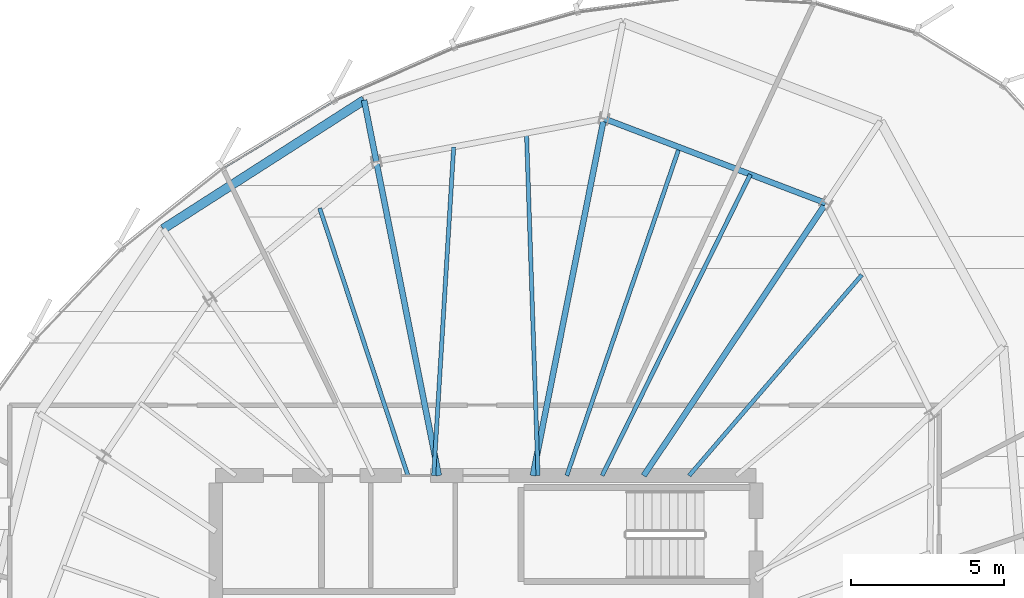
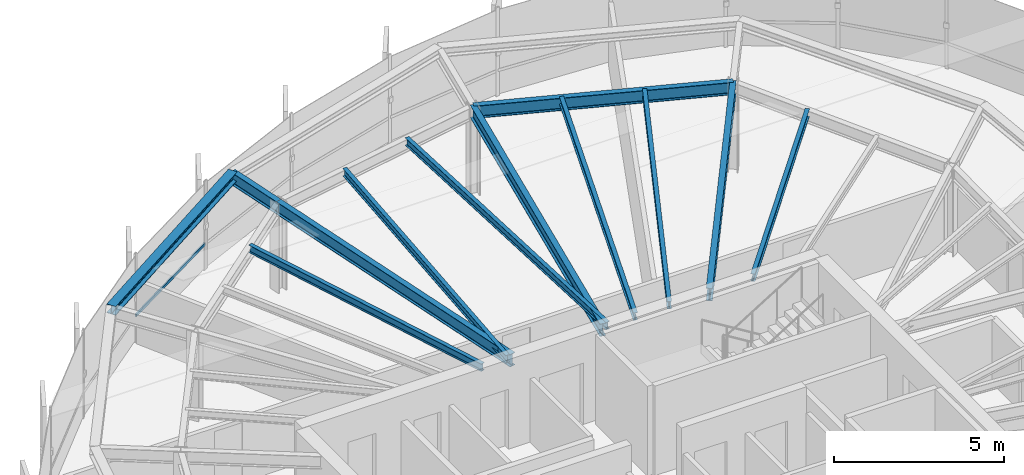
# One storey, part 20 of 33: 12 beams, 1 member, 1 element without a shape of its own.
"""IFC4 building model written with IfcOpenShell, lengths in metres."""

from ifc_helpers import new_model, si_unit, direction, frame, origin, origin_2d, place, context, subcontext, project, spatial, hollow_rectangle, i_section, extrude, source, transform, mapped, material, layer, layer_set, material_profile, profile_set, type_object, element, aggregate, save


model = new_model("IFC4")

# Units and contexts
model_context = context("Model", 3, precision=1e-05, world=origin(), true_north=direction((0.0, 1.0)))
body_context = subcontext(model_context, "Body", "Model", "MODEL_VIEW")
ifc_project = project(units=[si_unit("LENGTHUNIT", "METRE"), si_unit("AREAUNIT", "SQUARE_METRE"), si_unit("VOLUMEUNIT", "CUBIC_METRE"), si_unit("PLANEANGLEUNIT", "RADIAN"), si_unit("MASSUNIT", "GRAM", prefix="KILO"), si_unit("THERMODYNAMICTEMPERATUREUNIT", "KELVIN")], contexts=[model_context])

# Site, building, storey
site_placement = place(None, origin())
site = spatial("IfcSite", under=ifc_project, at=site_placement, CompositionType="ELEMENT")
building_placement = place(site_placement, origin())
building = spatial("IfcBuilding", under=site, at=building_placement, Name="Kethvar Cultural Tower", CompositionType="ELEMENT")
storey_placement = place(building_placement, frame((0.0, 0.0, 238.75)))
storey = spatial("IfcBuildingStorey", under=building, at=storey_placement, Name="L62", CompositionType="ELEMENT", Elevation=238.75)

# Beams
ifc_material_1 = material(Name="Steel S355J2", Category="steel")
ifc_material_profile_1 = material_profile(ifc_material_1, i_section(OverallWidth=0.18994140625, OverallDepth=0.449951171875, WebThickness=0.009521484375, FlangeThickness=0.0146484375, FilletRadius=0.02099609375, at=origin_2d()), Name="Steel S355J2 — IPE450")
ifc_profile_set_1 = profile_set([ifc_material_profile_1], Name="Steel S355J2 — IPE450")
beam_type_1 = type_object("IfcBeamType", Name="BM-IPE450", PredefinedType="BEAM", material=ifc_profile_set_1)
shared_shape_1 = source(origin(), body_context, "Body", "SweptSolid", [
    extrude(i_section(OverallWidth=0.18994140625, OverallDepth=0.449951171875, WebThickness=0.009521484375, FlangeThickness=0.0146484375, FilletRadius=0.02099609375, at=origin_2d()), origin(), (0.0, 0.0, 1.0), 10.673828125),
])
beam_1_placement = place(storey_placement, frame((51.945068359375, 35.5, 2.98291015625), z_axis=(0.555576086183, 0.831465701314, 0.0), x_axis=(-0.831465701314, 0.555576086183, 0.0)))
element("IfcBeam", 1, at=beam_1_placement, inside=storey, type_object=beam_type_1, Name="L62 Primary Radial Beam RB-03", PredefinedType="BEAM", context=body_context, shape_type="MappedRepresentation", body=[
    mapped(shared_shape_1, transform((0.0, 0.0, 0.0), scale=1.0)),
])
shared_shape_2 = source(origin(), body_context, "Body", "SweptSolid", [
    extrude(i_section(OverallWidth=0.18994140625, OverallDepth=0.449951171875, WebThickness=0.009521484375, FlangeThickness=0.0146484375, FilletRadius=0.02099609375, at=origin_2d()), origin(), (0.0, 0.0, 1.0), 11.859375),
])
beam_2_placement = place(storey_placement, frame((48.33154296875, 35.5, 2.98291015625), z_axis=(0.195094640585, 0.980784421377, 0.0), x_axis=(-0.980784421377, 0.195094640585, 0.0)))
element("IfcBeam", 2, at=beam_2_placement, inside=storey, type_object=beam_type_1, Name="L62 Primary Radial Beam RB-04", PredefinedType="BEAM", context=body_context, shape_type="MappedRepresentation", body=[
    mapped(shared_shape_2, transform((0.0, 0.0, 0.0), scale=1.0)),
])
shared_shape_3 = source(origin(), body_context, "Body", "SweptSolid", [
    extrude(i_section(OverallWidth=0.18994140625, OverallDepth=0.449951171875, WebThickness=0.009521484375, FlangeThickness=0.0146484375, FilletRadius=0.02099609375, at=origin_2d()), origin(), (0.0, 0.0, 1.0), 10.432861328125),
])
beam_3_placement = place(storey_placement, frame((45.268310546875, 35.5, 2.98291015625), z_axis=(-0.195094483249, 0.980784452673, 0.0), x_axis=(-0.980784452673, -0.195094483249, 0.0)))
element("IfcBeam", 3, at=beam_3_placement, inside=storey, type_object=beam_type_1, Name="L62 Primary Radial Beam RB-05", PredefinedType="BEAM", context=body_context, shape_type="MappedRepresentation", body=[
    mapped(shared_shape_3, transform((0.0, 0.0, 0.0), scale=1.0)),
])
ifc_material_profile_2 = material_profile(ifc_material_1, i_section(OverallWidth=0.135009765625, OverallDepth=0.27001953125, WebThickness=0.006591796875, FlangeThickness=0.01025390625, FilletRadius=0.014892578125, at=origin_2d()), Name="Steel S355J2 — IPE270")
ifc_profile_set_2 = profile_set([ifc_material_profile_2], Name="Steel S355J2 — IPE270")
beam_type_2 = type_object("IfcBeamType", Name="BM-J270", PredefinedType="JOIST", material=ifc_profile_set_2)
shared_shape_4 = source(origin(), body_context, "Body", "SweptSolid", [
    extrude(i_section(OverallWidth=0.135009765625, OverallDepth=0.27001953125, WebThickness=0.006591796875, FlangeThickness=0.01025390625, FilletRadius=0.014892578125, at=origin_2d()), origin(), (0.0, 0.0, 1.0), 8.6259765625),
])
beam_4_placement = place(storey_placement, frame((53.42333984375, 35.5, 3.072998046875), z_axis=(0.65210499689, 0.758128665222, 0.0), x_axis=(-0.758128665222, 0.65210499689, 0.0)))
element("IfcBeam", 4, at=beam_4_placement, inside=storey, type_object=beam_type_2, Name="L62 Composite Floor Joist J-02B", PredefinedType="JOIST", context=body_context, shape_type="MappedRepresentation", body=[
    mapped(shared_shape_4, transform((0.0, 0.0, 0.0), scale=1.0)),
])
shared_shape_5 = source(origin(), body_context, "Body", "SweptSolid", [
    extrude(i_section(OverallWidth=0.18994140625, OverallDepth=0.449951171875, WebThickness=0.009521484375, FlangeThickness=0.0146484375, FilletRadius=0.02099609375, at=origin_2d()), origin(), (0.0, 0.0, 1.0), 7.737548828125),
])
beam_5_placement = place(storey_placement, frame((57.875244140625, 44.375, 2.98291015625), z_axis=(-0.934388230776, 0.356256416347, 0.0), x_axis=(-0.356256416347, -0.934388230776, 0.0)))
element("IfcBeam", 5, at=beam_5_placement, inside=storey, type_object=beam_type_1, Name="L62 Column Ring Tie Beam CR-03", PredefinedType="BEAM", context=body_context, shape_type="MappedRepresentation", body=[
    mapped(shared_shape_5, transform((0.0, 0.0, 0.0), scale=1.0)),
])
shared_shape_6 = source(origin(), body_context, "Body", "SweptSolid", [
    extrude(i_section(OverallWidth=0.135009765625, OverallDepth=0.27001953125, WebThickness=0.006591796875, FlangeThickness=0.01025390625, FilletRadius=0.014892578125, at=origin_2d()), origin(), (0.0, 0.0, 1.0), 10.935791015625),
])
beam_6_placement = place(storey_placement, frame((50.5888671875, 35.5, 3.072998046875), z_axis=(0.441498236677, 0.897262117227, 0.0), x_axis=(-0.897262117227, 0.441498236677, 0.0)))
element("IfcBeam", 6, at=beam_6_placement, inside=storey, type_object=beam_type_2, Name="L62 Composite Floor Joist J-03A", PredefinedType="JOIST", context=body_context, shape_type="MappedRepresentation", body=[
    mapped(shared_shape_6, transform((0.0, 0.0, 0.0), scale=1.0)),
])
shared_shape_7 = source(origin(), body_context, "Body", "SweptSolid", [
    extrude(i_section(OverallWidth=0.135009765625, OverallDepth=0.27001953125, WebThickness=0.006591796875, FlangeThickness=0.01025390625, FilletRadius=0.014892578125, at=origin_2d()), origin(), (0.0, 0.0, 1.0), 11.304931640625),
])
beam_7_placement = place(storey_placement, frame((49.438720703125, 35.5, 3.072998046875), z_axis=(0.324179110764, 0.945995720997, 0.0), x_axis=(-0.945995720997, 0.324179110764, 0.0)))
element("IfcBeam", 7, at=beam_7_placement, inside=storey, type_object=beam_type_2, Name="L62 Composite Floor Joist J-03B", PredefinedType="JOIST", context=body_context, shape_type="MappedRepresentation", body=[
    mapped(shared_shape_7, transform((0.0, 0.0, 0.0), scale=1.0)),
])
shared_shape_8 = source(origin(), body_context, "Body", "SweptSolid", [
    extrude(i_section(OverallWidth=0.135009765625, OverallDepth=0.27001953125, WebThickness=0.006591796875, FlangeThickness=0.01025390625, FilletRadius=0.014892578125, at=origin_2d()), origin(), (0.0, 0.0, 1.0), 11.162109375),
])
beam_8_placement = place(storey_placement, frame((48.5, 35.5, 3.072998046875), z_axis=(-0.0335959409, 0.999435497046, 0.0), x_axis=(-0.999435497046, -0.0335959409, 0.0)))
element("IfcBeam", 8, at=beam_8_placement, inside=storey, type_object=beam_type_2, Name="L62 Composite Floor Joist J-04A", PredefinedType="JOIST", context=body_context, shape_type="MappedRepresentation", body=[
    mapped(shared_shape_8, transform((0.0, 0.0, 0.0), scale=1.0)),
])
shared_shape_9 = source(origin(), body_context, "Body", "SweptSolid", [
    extrude(i_section(OverallWidth=0.135009765625, OverallDepth=0.27001953125, WebThickness=0.006591796875, FlangeThickness=0.01025390625, FilletRadius=0.014892578125, at=origin_2d()), origin(), (0.0, 0.0, 1.0), 10.727783203125),
])
beam_9_placement = place(storey_placement, frame((45.10009765625, 35.5, 3.072998046875), z_axis=(0.060876395586, 0.998145312297, 0.0), x_axis=(-0.998145312297, 0.060876395586, 0.0)))
element("IfcBeam", 9, at=beam_9_placement, inside=storey, type_object=beam_type_2, Name="L62 Composite Floor Joist J-04B", PredefinedType="JOIST", context=body_context, shape_type="MappedRepresentation", body=[
    mapped(shared_shape_9, transform((0.0, 0.0, 0.0), scale=1.0)),
])
shared_shape_10 = source(origin(), body_context, "Body", "SweptSolid", [
    extrude(i_section(OverallWidth=0.135009765625, OverallDepth=0.27001953125, WebThickness=0.006591796875, FlangeThickness=0.01025390625, FilletRadius=0.014892578125, at=origin_2d()), origin(), (0.0, 0.0, 1.0), 9.17138671875),
])
beam_10_placement = place(storey_placement, frame((44.260986328125, 35.5, 3.072998046875), z_axis=(-0.313151555446, 0.949703165901, 0.0), x_axis=(-0.949703165901, -0.313151555446, 0.0)))
element("IfcBeam", 10, at=beam_10_placement, inside=storey, type_object=beam_type_2, Name="L62 Composite Floor Joist J-05A", PredefinedType="JOIST", context=body_context, shape_type="MappedRepresentation", body=[
    mapped(shared_shape_10, transform((0.0, 0.0, 0.0), scale=1.0)),
])
shared_shape_11 = source(origin(), body_context, "Body", "SweptSolid", [
    extrude(i_section(OverallWidth=0.18994140625, OverallDepth=0.449951171875, WebThickness=0.009521484375, FlangeThickness=0.0146484375, FilletRadius=0.02099609375, at=origin_2d()), origin(), (0.0, 0.0, 1.0), 2.039306640625),
])
beam_11_placement = place(storey_placement, frame((43.23291015625, 45.732421875, 2.98291015625), z_axis=(-0.195010976038, 0.980801059963, 0.0), x_axis=(-0.980801059963, -0.195010976038, 0.0)))
element("IfcBeam", 11, at=beam_11_placement, inside=storey, type_object=beam_type_1, Name="L62 Perimeter Cantilever Beam RC-05", PredefinedType="BEAM", context=body_context, shape_type="MappedRepresentation", body=[
    mapped(shared_shape_11, transform((0.0, 0.0, 0.0), scale=1.0)),
])
ifc_material_profile_3 = material_profile(ifc_material_1, i_section(OverallWidth=0.300048828125, OverallDepth=0.320068359375, WebThickness=0.011474609375, FlangeThickness=0.0205078125, FilletRadius=0.027099609375, at=origin_2d()), Name="Steel S355J2 — HEB320")
ifc_profile_set_3 = profile_set([ifc_material_profile_3], Name="Steel S355J2 — HEB320")
beam_type_3 = type_object("IfcBeamType", Name="BM-SP320", PredefinedType="SPANDREL", material=ifc_profile_set_3)
shared_shape_12 = source(origin(), body_context, "Body", "SweptSolid", [
    extrude(i_section(OverallWidth=0.300048828125, OverallDepth=0.320068359375, WebThickness=0.011474609375, FlangeThickness=0.0205078125, FilletRadius=0.027099609375, at=origin_2d()), origin(), (0.0, 0.0, 1.0), 7.77880859375),
])
beam_12_placement = place(storey_placement, frame((42.835205078125, 47.732666015625, 3.048095703125), z_axis=(-0.841952622822, -0.53955146272, 0.0), x_axis=(0.53955146272, -0.841952622822, 0.0)))
element("IfcBeam", 12, at=beam_12_placement, inside=storey, type_object=beam_type_3, Name="L62 Perimeter Spandrel Beam SP-05", PredefinedType="SPANDREL", context=body_context, shape_type="MappedRepresentation", body=[
    mapped(shared_shape_12, transform((0.0, 0.0, 0.0), scale=1.0)),
])

# Curtain wall, member
ifc_material_2 = material(Name="Aluminium 6063-T6", Category="aluminium")
ifc_layer = layer(ifc_material_2, 0.179931640625, Name="Aluminium 6063-T6", Category="aluminium")
ifc_layer_set = layer_set([ifc_layer], Name="Aluminium 6063-T6 (180 mm)")
curtain_wall_type = type_object("IfcCurtainWallType", Name="CW-SYS-05-Z56", PredefinedType="NOTDEFINED", material=ifc_layer_set)
curtain_wall_placement = place(storey_placement, origin())
curtain_wall = element("IfcCurtainWall", 13, at=curtain_wall_placement, inside=storey, type_object=curtain_wall_type, Name="L62 Curtain Wall Run 02", PredefinedType="NOTDEFINED")
ifc_material_profile_4 = material_profile(ifc_material_2, hollow_rectangle(XDim=0.050048828125, YDim=0.10009765625, WallThickness=0.00390625, at=origin_2d()), Name="Aluminium 6063-T6 — RHS100x50x4")
ifc_profile_set_4 = profile_set([ifc_material_profile_4], Name="Aluminium 6063-T6 — RHS100x50x4")
member_type = type_object("IfcMemberType", Name="CW-SYS-05-Z56-TRN", PredefinedType="USERDEFINED", material=ifc_profile_set_4)
shared_shape_13 = source(origin(), body_context, "Body", "SweptSolid", [
    extrude(hollow_rectangle(XDim=0.050048828125, YDim=0.10009765625, WallThickness=0.00390625, at=origin_2d()), origin(), (0.0, 0.0, 1.0), 4.19482421875),
])
member_placement = place(storey_placement, frame((41.84912109375, 47.686279296875, 0.949951171875), z_axis=(-0.855912321874, -0.517120969662, 0.0), x_axis=(0.517120969662, -0.855912321874, 0.0)))
member = element("IfcMember", 14, at=member_placement, type_object=member_type, Name="CW-L62-R02 Transom 1", ObjectType="TRANSOM", PredefinedType="USERDEFINED", context=body_context, shape_type="MappedRepresentation", body=[
    mapped(shared_shape_13, transform((0.0, 0.0, 0.0), scale=1.0)),
])
aggregate(curtain_wall, [member])

save(model, "model.ifc")
